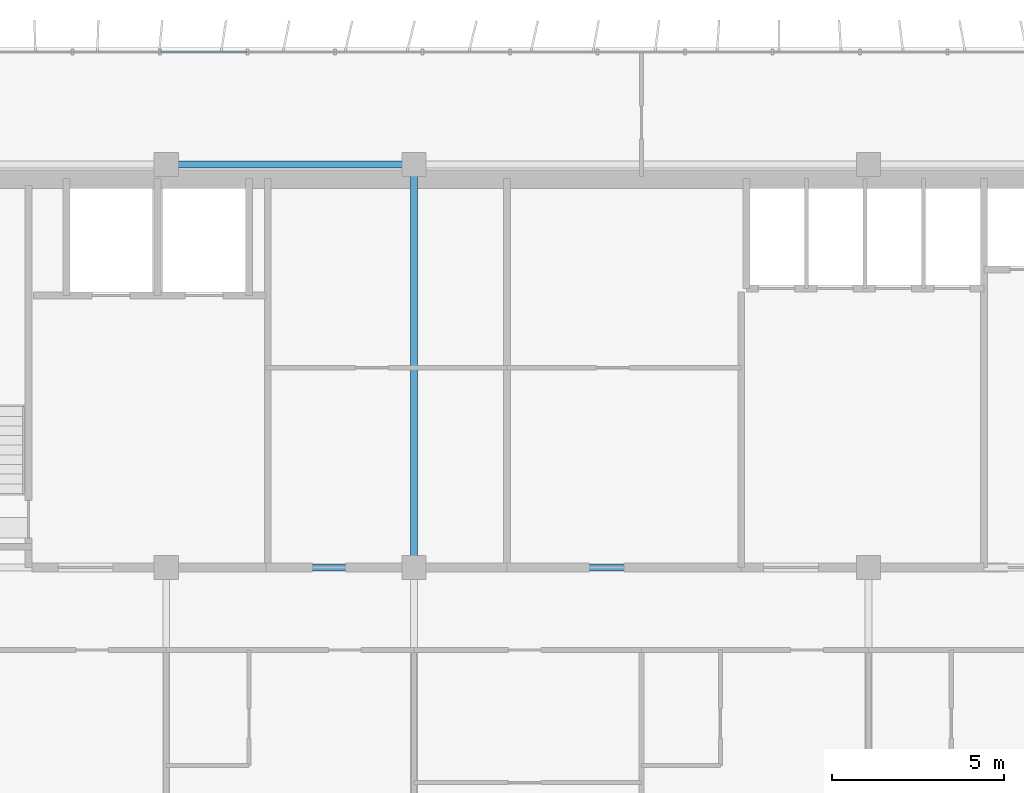
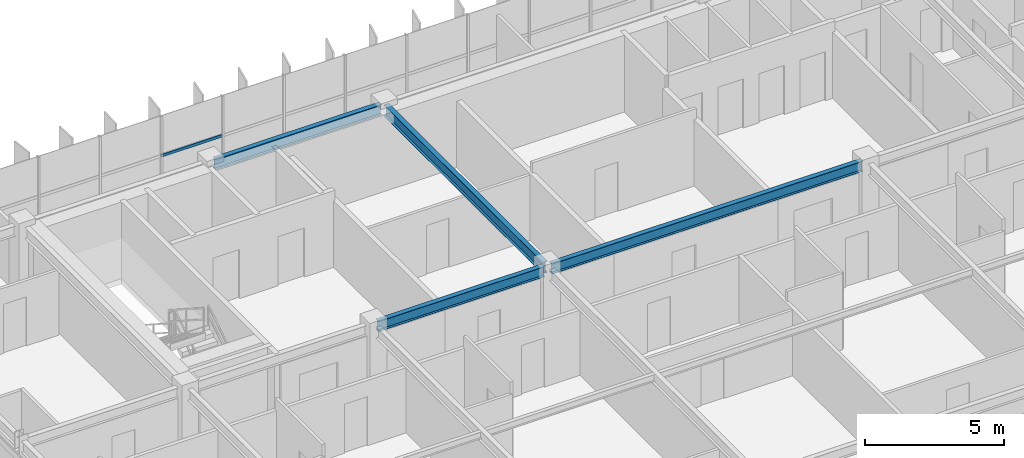
# One storey, part 7 of 23: 4 beams, 1 member, 1 element without a shape of its own.
"""IFC4 building model written with IfcOpenShell, lengths in metres."""

from ifc_helpers import new_model, si_unit, direction, frame, origin, origin_2d, place, context, subcontext, project, spatial, hollow_rectangle, i_section, extrude, source, transform, mapped, material, material_profile, profile_set, type_object, element, aggregate, save


model = new_model("IFC4")

# Units and contexts
model_context = context("Model", 3, precision=1e-05, world=origin(), true_north=direction((0.0, 1.0)))
body_context = subcontext(model_context, "Body", "Model", "MODEL_VIEW")
ifc_project = project(units=[si_unit("LENGTHUNIT", "METRE"), si_unit("AREAUNIT", "SQUARE_METRE"), si_unit("VOLUMEUNIT", "CUBIC_METRE"), si_unit("PLANEANGLEUNIT", "RADIAN"), si_unit("MASSUNIT", "GRAM", prefix="KILO")], contexts=[model_context])

# Site, building, storey
site_placement = place(None, origin())
site = spatial("IfcSite", under=ifc_project, at=site_placement, CompositionType="ELEMENT")
building_placement = place(site_placement, origin())
building = spatial("IfcBuilding", under=site, at=building_placement, Name="Trelvane Seafront Commons", CompositionType="ELEMENT")
storey_placement = place(building_placement, frame((0.0, 0.0, 226.5)))
storey = spatial("IfcBuildingStorey", under=building, at=storey_placement, Name="L59", CompositionType="ELEMENT", Elevation=226.5)

# Beams
ifc_material_1 = material(Name="Steel SM355 (S355)", Category="steel")
ifc_material_profile_1 = material_profile(ifc_material_1, i_section(OverallWidth=0.199951171875, OverallDepth=0.5, WebThickness=0.010009765625, FlangeThickness=0.01611328125, at=origin_2d()), Name="H-500x200x10x16")
ifc_profile_set_1 = profile_set([ifc_material_profile_1], Name="Steel SM355 (S355)")
beam_type_1 = type_object("IfcBeamType", Name="STR-BM-H500", PredefinedType="BEAM", material=ifc_profile_set_1)
shared_shape_1 = source(origin(), body_context, "Body", "SweptSolid", [
    extrude(i_section(OverallWidth=0.199951171875, OverallDepth=0.5, WebThickness=0.010009765625, FlangeThickness=0.01611328125, at=origin_2d()), origin(), (0.0, 0.0, 1.0), 11.39990234375),
])
beam_1_placement = place(storey_placement, frame((30.60009765625, 33.550048828125, 3.110107421875), z_axis=(0.0, 1.0, 0.0), x_axis=(-1.0, 0.0, 0.0)))
element("IfcBeam", 1, at=beam_1_placement, inside=storey, type_object=beam_type_1, Name="L59 Primary Girder G-40", PredefinedType="BEAM", context=body_context, shape_type="MappedRepresentation", body=[
    mapped(shared_shape_1, transform((0.0, 0.0, 0.0), x_axis=(1.0, 0.0, 0.0), y_axis=(0.0, 1.0, 0.0), z_axis=(0.0, 0.0, 1.0), scale=1.0)),
])
ifc_material_profile_2 = material_profile(ifc_material_1, i_section(OverallWidth=0.199951171875, OverallDepth=0.449951171875, WebThickness=0.009033203125, FlangeThickness=0.013916015625, at=origin_2d()), Name="H-450x200x9x14")
ifc_profile_set_2 = profile_set([ifc_material_profile_2], Name="Steel SM355 (S355)")
beam_type_2 = type_object("IfcBeamType", Name="STR-SPD-H450", PredefinedType="SPANDREL", material=ifc_profile_set_2)
shared_shape_2 = source(origin(), body_context, "Body", "SweptSolid", [
    extrude(i_section(OverallWidth=0.199951171875, OverallDepth=0.449951171875, WebThickness=0.009033203125, FlangeThickness=0.013916015625, at=origin_2d()), origin(), (0.0, 0.0, 1.0), 6.89990234375),
])
for number, where, z_axis, x_axis, name in (
    (2, (23.550048828125, 33.39990234375, 3.135009765625), (1.0, 0.0, 0.0), (0.0, 1.0, 0.0), "L59 Primary Girder G-17"),
    (3, (23.550048828125, 45.10009765625, 3.135009765625), (1.0, 0.0, 0.0), (0.0, 1.0, 0.0), "L59 Primary Girder G-24"),
):
    element("IfcBeam", number, at=place(storey_placement, frame(where, z_axis=z_axis, x_axis=x_axis)), inside=storey, type_object=beam_type_2, Name=name, PredefinedType="SPANDREL", context=body_context, shape_type="MappedRepresentation", body=[
        mapped(shared_shape_2, transform((0.0, 0.0, 0.0), x_axis=(1.0, 0.0, 0.0), y_axis=(0.0, 1.0, 0.0), z_axis=(0.0, 0.0, 1.0), scale=1.0)),
    ])
shared_shape_3 = source(origin(), body_context, "Body", "SweptSolid", [
    extrude(i_section(OverallWidth=0.199951171875, OverallDepth=0.449951171875, WebThickness=0.009033203125, FlangeThickness=0.013916015625, at=origin_2d()), origin(), (0.0, 0.0, 1.0), 12.89990234375),
])
beam_2_placement = place(storey_placement, frame((30.75, 33.39990234375, 3.135009765625), z_axis=(1.0, 0.0, 0.0), x_axis=(0.0, 1.0, 0.0)))
element("IfcBeam", 4, at=beam_2_placement, inside=storey, type_object=beam_type_2, Name="L59 Primary Girder G-18", PredefinedType="SPANDREL", context=body_context, shape_type="MappedRepresentation", body=[
    mapped(shared_shape_3, transform((0.0, 0.0, 0.0), x_axis=(1.0, 0.0, 0.0), y_axis=(0.0, 1.0, 0.0), z_axis=(0.0, 0.0, 1.0), scale=1.0)),
])

# Curtain wall, member
ifc_material_2 = material(Name="Anodised pale-silver aluminium", Category="aluminium")
curtain_wall_type = type_object("IfcCurtainWallType", Name="ARCH-CW5-UPTOWER", PredefinedType="NOTDEFINED", material=ifc_material_2)
curtain_wall_placement = place(storey_placement, origin())
curtain_wall = element("IfcCurtainWall", 5, at=curtain_wall_placement, inside=storey, type_object=curtain_wall_type, Name="CW-L59-0102", PredefinedType="NOTDEFINED")
ifc_material_profile_3 = material_profile(ifc_material_2, hollow_rectangle(XDim=0.070068359375, YDim=0.1201171875, WallThickness=0.00390625, at=origin_2d()), Name="TRAN-70x120x4")
ifc_profile_set_3 = profile_set([ifc_material_profile_3], Name="Anodised pale-silver aluminium")
member_type = type_object("IfcMemberType", Name="ARCH-CW-TRAN-120", PredefinedType="USERDEFINED", material=ifc_profile_set_3)
shared_shape_4 = source(origin(), body_context, "Body", "SweptSolid", [
    extrude(hollow_rectangle(XDim=0.070068359375, YDim=0.1201171875, WallThickness=0.00390625, at=origin_2d()), origin(), (0.0, 0.0, 1.0), 2.51708984375),
])
member_placement = place(storey_placement, frame((23.235595703125, 48.3701171875, 1.613037109375), z_axis=(1.0, 0.0, 0.0), x_axis=(0.0, 1.0, 0.0)))
member = element("IfcMember", 6, at=member_placement, type_object=member_type, Name="CW-L59-0102-T03", ObjectType="TRANSOM", PredefinedType="USERDEFINED", context=body_context, shape_type="MappedRepresentation", body=[
    mapped(shared_shape_4, transform((0.0, 0.0, 0.0), x_axis=(1.0, 0.0, 0.0), y_axis=(0.0, 1.0, 0.0), z_axis=(0.0, 0.0, 1.0), scale=1.0)),
])
aggregate(curtain_wall, [member])

save(model, "model.ifc")
